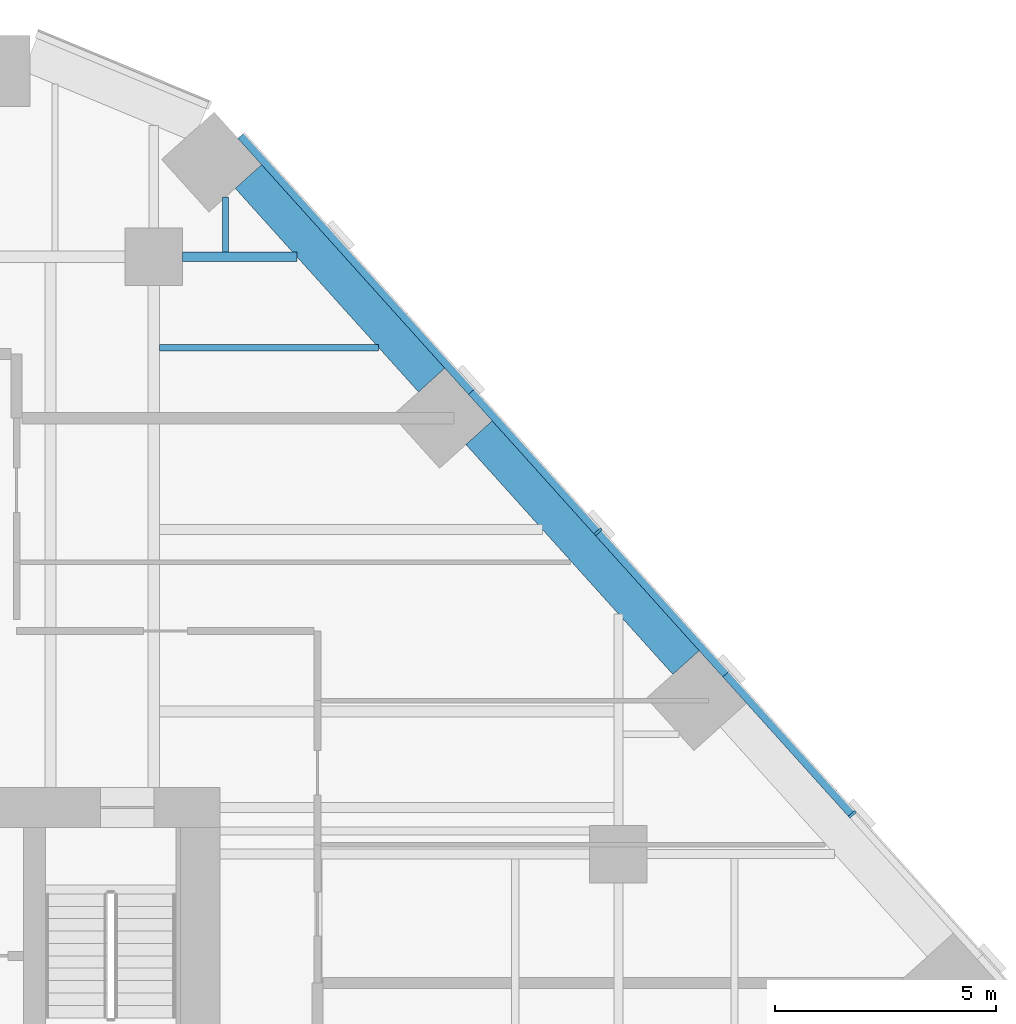
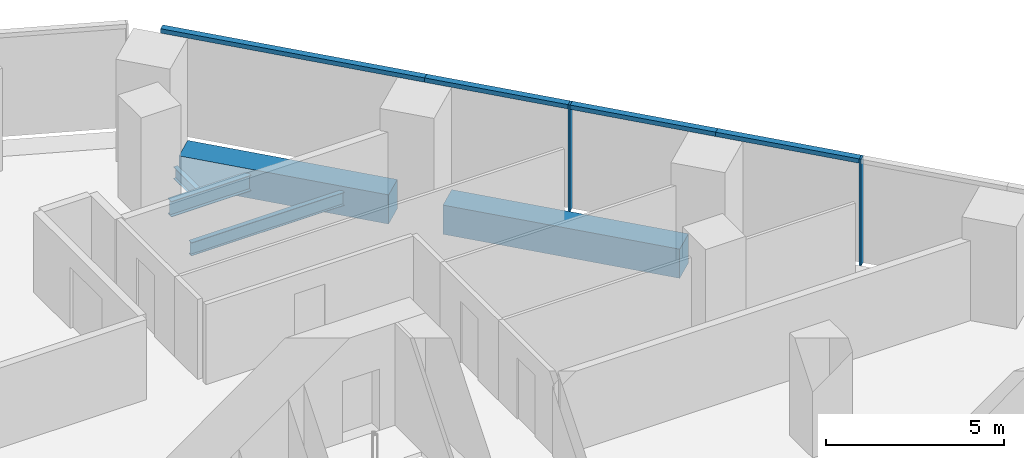
# One storey, part 10 of 21: 6 members, 5 beams, 1 element without a shape of its own.
"""IFC4 building model written with IfcOpenShell, lengths in metres."""

from ifc_helpers import new_model, si_unit, direction, frame, origin, origin_2d, place, context, subcontext, project, spatial, rectangle, i_section, extrude, material, layer, layer_set, material_profile, profile_set, type_object, element, aggregate, save


model = new_model("IFC4")

# Units and contexts
model_context = context("Model", 3, precision=1e-05, world=origin(), true_north=direction((0.0, 1.0)))
body_context = subcontext(model_context, "Body", "Model", "MODEL_VIEW")
ifc_project = project(units=[si_unit("LENGTHUNIT", "METRE"), si_unit("AREAUNIT", "SQUARE_METRE"), si_unit("VOLUMEUNIT", "CUBIC_METRE"), si_unit("PLANEANGLEUNIT", "RADIAN"), si_unit("MASSUNIT", "GRAM", prefix="KILO")], contexts=[model_context])

# Site, building, storey
site_placement = place(None, origin())
site = spatial("IfcSite", under=ifc_project, at=site_placement, CompositionType="ELEMENT")
building_placement = place(site_placement, origin())
building = spatial("IfcBuilding", under=site, at=building_placement, Name="Isthmus Gate Tower", CompositionType="ELEMENT")
storey_placement = place(building_placement, frame((0.0, 0.0, 109.85009765625)))
storey = spatial("IfcBuildingStorey", under=building, at=storey_placement, Name="L26", CompositionType="ELEMENT", Elevation=109.85009765625)

# Curtain wall, members
ifc_material_1 = material(Name="Aluminium, pale champagne anodised", Category="aluminium")
ifc_layer = layer(ifc_material_1, 0.199951171875)
ifc_layer_set = layer_set([ifc_layer], Name="CW-1 UNITISED CURTAIN WALL 200 DEEP")
curtain_wall_type = type_object("IfcCurtainWallType", Name="CW-1 UNITISED CURTAIN WALL 200 DEEP", PredefinedType="NOTDEFINED", material=ifc_layer_set)
curtain_wall_placement = place(storey_placement, origin())
curtain_wall = element("IfcCurtainWall", 1, at=curtain_wall_placement, inside=storey, type_object=curtain_wall_type, Name="CW-1 NE L26", PredefinedType="NOTDEFINED")
ifc_material_2 = material(Name="Aluminium, pale champagne anodised", Category="aluminium")
ifc_material_profile_1 = material_profile(ifc_material_2, rectangle(XDim=0.06005859375, YDim=0.199951171875, at=origin_2d()), Name="60x200")
ifc_profile_set_1 = profile_set([ifc_material_profile_1], Name="Aluminium, pale champagne anodised")
member_type_1 = type_object("IfcMemberType", Name="CW-1 MULLION 60 X 200", PredefinedType="MULLION", material=ifc_profile_set_1)
member_1_placement = place(storey_placement, frame((29.287841796875, 14.400146484375, 0.0), z_axis=(0.0, 0.0, 1.0), x_axis=(-0.669130606359, 0.743144825477, 0.0)))
member_1 = element("IfcMember", 2, at=member_1_placement, type_object=member_type_1, Name="CW-1 mullion", PredefinedType="MULLION", context=body_context, shape_type="SweptSolid", body=[
    extrude(rectangle(XDim=0.06005859375, YDim=0.199951171875, at=origin_2d()), origin(), (0.0, 0.0, 1.0), 3.64990234375),
])
member_2_placement = place(storey_placement, frame((23.54052734375, 20.783447265625, 0.0), z_axis=(0.0, 0.0, 1.0), x_axis=(-0.669130606359, 0.743144825477, 0.0)))
member_2 = element("IfcMember", 3, at=member_2_placement, type_object=member_type_1, Name="CW-1 mullion", PredefinedType="MULLION", context=body_context, shape_type="SweptSolid", body=[
    extrude(rectangle(XDim=0.06005859375, YDim=0.199951171875, at=origin_2d()), origin(), (0.0, 0.0, 1.0), 3.64990234375),
])
ifc_material_3 = material(Name="Aluminium, pale champagne anodised", Category="aluminium")
ifc_material_profile_2 = material_profile(ifc_material_3, rectangle(XDim=0.199951171875, YDim=0.14990234375, at=origin_2d()), Name="200x150")
ifc_profile_set_2 = profile_set([ifc_material_profile_2], Name="Aluminium, pale champagne anodised")
member_type_2 = type_object("IfcMemberType", Name="CW-1 TRANSOM 200 X 150", PredefinedType="USERDEFINED", material=ifc_profile_set_2)
member_3_placement = place(storey_placement, frame((29.267822265625, 14.422607421875, 3.574951171875), z_axis=(-0.669123979474, 0.743150792298, 0.0), x_axis=(-0.743150792298, -0.669123979474, 0.0)))
member_3 = element("IfcMember", 4, at=member_3_placement, type_object=member_type_2, Name="CW-1 transom", ObjectType="TRANSOM", PredefinedType="USERDEFINED", context=body_context, shape_type="SweptSolid", body=[
    extrude(rectangle(XDim=0.199951171875, YDim=0.14990234375, at=origin_2d()), origin(), (0.0, 0.0, 1.0), 4.234619140625),
])
member_4_placement = place(storey_placement, frame((26.434326171875, 17.569580078125, 3.574951171875), z_axis=(-0.669159437096, 0.743118865153, 0.0), x_axis=(-0.743118865153, -0.669159437096, 0.0)))
member_4 = element("IfcMember", 5, at=member_4_placement, type_object=member_type_2, Name="CW-1 transom", ObjectType="TRANSOM", PredefinedType="USERDEFINED", context=body_context, shape_type="SweptSolid", body=[
    extrude(rectangle(XDim=0.199951171875, YDim=0.14990234375, at=origin_2d()), origin(), (0.0, 0.0, 1.0), 4.294677734375),
])
member_5_placement = place(storey_placement, frame((23.520263671875, 20.8056640625, 3.574951171875), z_axis=(-0.669123979474, 0.743150792298, 0.0), x_axis=(-0.743150792298, -0.669123979474, 0.0)))
member_5 = element("IfcMember", 6, at=member_5_placement, type_object=member_type_2, Name="CW-1 transom", ObjectType="TRANSOM", PredefinedType="USERDEFINED", context=body_context, shape_type="SweptSolid", body=[
    extrude(rectangle(XDim=0.199951171875, YDim=0.14990234375, at=origin_2d()), origin(), (0.0, 0.0, 1.0), 4.234619140625),
])
member_6_placement = place(storey_placement, frame((20.686767578125, 23.95263671875, 3.574951171875), z_axis=(-0.669137878224, 0.743138277797, 0.0), x_axis=(-0.743138277797, -0.669137878224, 0.0)))
member_6 = element("IfcMember", 7, at=member_6_placement, type_object=member_type_2, Name="CW-1 transom", ObjectType="TRANSOM", PredefinedType="USERDEFINED", context=body_context, shape_type="SweptSolid", body=[
    extrude(rectangle(XDim=0.199951171875, YDim=0.14990234375, at=origin_2d()), origin(), (0.0, 0.0, 1.0), 7.789306640625),
])
aggregate(curtain_wall, [member_1, member_3, member_4, member_2, member_5, member_6])

# Beams
ifc_material_4 = material(Name="Concrete f'c 70 MPa", Category="concrete")
ifc_material_profile_3 = material_profile(ifc_material_4, rectangle(XDim=0.800048828125, YDim=1.0, at=origin_2d()), Name="RC 800X1000")
ifc_profile_set_3 = profile_set([ifc_material_profile_3], Name="Concrete f'c 70 MPa")
beam_type_1 = type_object("IfcBeamType", Name="RC SPANDREL 800 X 1000", PredefinedType="SPANDREL", material=ifc_profile_set_3)
beam_1_placement = place(storey_placement, frame((15.638427734375, 28.812255859375, -0.5), z_axis=(0.669139054219, -0.743137218903, 0.0), x_axis=(0.743137218903, 0.669139054219, 0.0)))
element("IfcBeam", 8, at=beam_1_placement, inside=storey, type_object=beam_type_1, Name="str-spandrel-L26-01", PredefinedType="SPANDREL", context=body_context, shape_type="SweptSolid", body=[
    extrude(rectangle(XDim=0.800048828125, YDim=1.0, at=origin_2d()), origin(), (0.0, 0.0, 1.0), 6.189453125),
])
beam_2_placement = place(storey_placement, frame((20.8505859375, 23.0234375, -0.5), z_axis=(0.669128753615, -0.743146493691, 0.0), x_axis=(0.743146493691, 0.669128753615, 0.0)))
element("IfcBeam", 9, at=beam_2_placement, inside=storey, type_object=beam_type_1, Name="str-spandrel-L26-02", PredefinedType="SPANDREL", context=body_context, shape_type="SweptSolid", body=[
    extrude(rectangle(XDim=0.800048828125, YDim=1.0, at=origin_2d()), origin(), (0.0, 0.0, 1.0), 6.9892578125),
])
ifc_material_5 = material(Name="Structural steel ASTM A992 Gr 50", Category="steel")
ifc_material_profile_4 = material_profile(ifc_material_5, i_section(OverallWidth=0.1396484375, OverallDepth=0.4033203125, WebThickness=0.00634765625, FlangeThickness=0.010986328125, at=origin_2d()), Name="W16X31")
ifc_profile_set_4 = profile_set([ifc_material_profile_4], Name="Structural steel ASTM A992 Gr 50")
beam_type_2 = type_object("IfcBeamType", Name="STEEL FLOOR BEAM W16X31", PredefinedType="JOIST", material=ifc_profile_set_4)
beam_3_placement = place(storey_placement, frame((15.12109375, 27.104736328125, -0.351806640625), z_axis=(0.0, 1.0, 0.0), x_axis=(-1.0, 0.0, 0.0)))
element("IfcBeam", 10, at=beam_3_placement, inside=storey, type_object=beam_type_2, Name="str-beam-L26-25-00", PredefinedType="JOIST", context=body_context, shape_type="SweptSolid", body=[
    extrude(i_section(OverallWidth=0.1396484375, OverallDepth=0.4033203125, WebThickness=0.00634765625, FlangeThickness=0.010986328125, at=origin_2d()), origin(), (0.0, 0.0, 1.0), 1.24169921875),
])
ifc_material_6 = material(Name="Structural steel ASTM A992 Gr 50", Category="steel")
ifc_material_profile_5 = material_profile(ifc_material_6, i_section(OverallWidth=0.15234375, OverallDepth=0.45068359375, WebThickness=0.0078125, FlangeThickness=0.010986328125, at=origin_2d()), Name="W18X35")
ifc_profile_set_5 = profile_set([ifc_material_profile_5], Name="Structural steel ASTM A992 Gr 50")
beam_type_3 = type_object("IfcBeamType", Name="STEEL FLOOR BEAM W18X35", PredefinedType="JOIST", material=ifc_profile_set_5)
beam_4_placement = place(storey_placement, frame((13.626953125, 24.944091796875, -0.37548828125), z_axis=(1.0, 0.0, 0.0), x_axis=(0.0, 1.0, 0.0)))
element("IfcBeam", 11, at=beam_4_placement, inside=storey, type_object=beam_type_3, Name="str-beam-L26-26-02", PredefinedType="JOIST", context=body_context, shape_type="SweptSolid", body=[
    extrude(i_section(OverallWidth=0.15234375, OverallDepth=0.45068359375, WebThickness=0.0078125, FlangeThickness=0.010986328125, at=origin_2d()), origin(), (0.0, 0.0, 1.0), 4.9560546875),
])
ifc_material_7 = material(Name="Structural steel ASTM A992 Gr 50", Category="steel")
ifc_material_profile_6 = material_profile(ifc_material_7, i_section(OverallWidth=0.20947265625, OverallDepth=0.533447265625, WebThickness=0.009521484375, FlangeThickness=0.015869140625, at=origin_2d()), Name="W21X62")
ifc_profile_set_6 = profile_set([ifc_material_profile_6], Name="Structural steel ASTM A992 Gr 50")
beam_type_4 = type_object("IfcBeamType", Name="STEEL GIRDER W21X62", PredefinedType="BEAM", material=ifc_profile_set_6)
beam_5_placement = place(storey_placement, frame((14.14990234375, 27.0, -0.416748046875), z_axis=(1.0, 0.0, 0.0), x_axis=(0.0, 1.0, 0.0)))
element("IfcBeam", 12, at=beam_5_placement, inside=storey, type_object=beam_type_4, Name="str-girder-L26-20", PredefinedType="BEAM", context=body_context, shape_type="SweptSolid", body=[
    extrude(i_section(OverallWidth=0.20947265625, OverallDepth=0.533447265625, WebThickness=0.009521484375, FlangeThickness=0.015869140625, at=origin_2d()), origin(), (0.0, 0.0, 1.0), 2.58203125),
])

save(model, "model.ifc")
